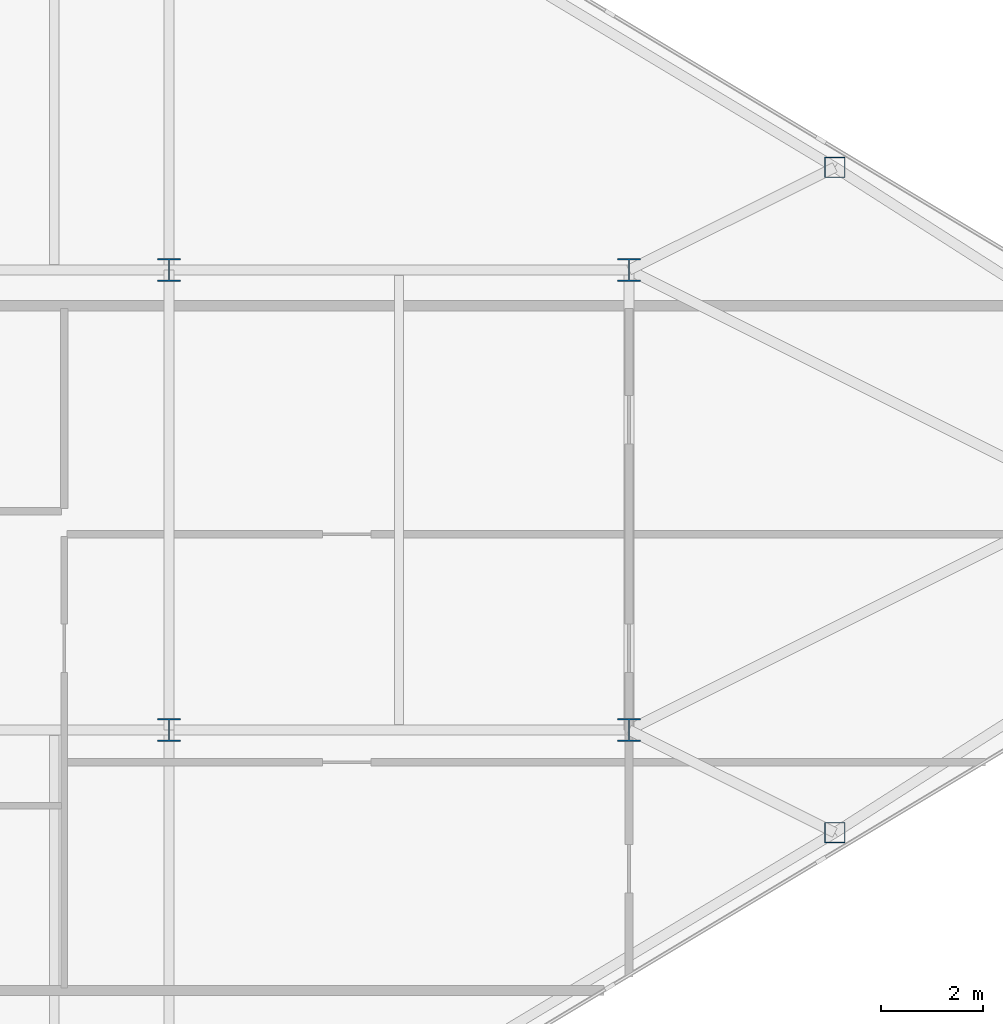
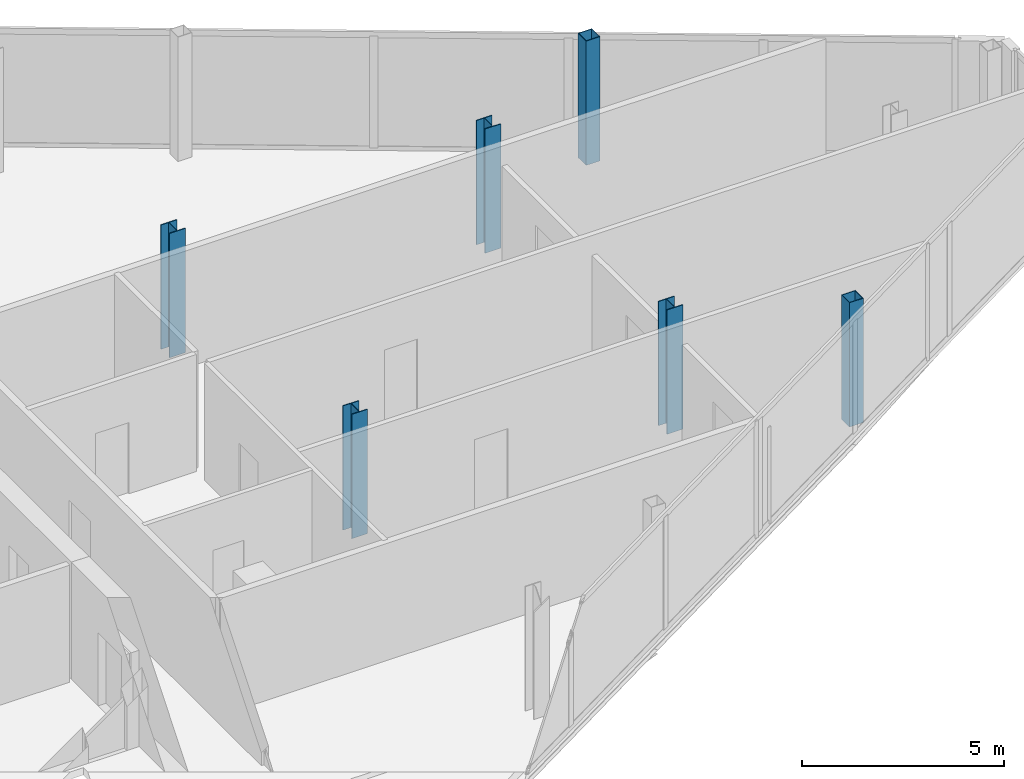
# One storey, part 5 of 28: 6 columns.
"""IFC4 building model written with IfcOpenShell, lengths in metres."""

import ifcopenshell
import ifcopenshell.guid

model = None  # the IFC model being written
_history = None  # IfcOwnerHistory: only IFC2X3 demands one
_inside = {}  # id of a spatial element -> (the spatial element, [elements in it])
_under = {}  # id of a project, library or spatial element -> (it, [spatial elements below it])
_declared = {}  # id of a project -> (the project, [libraries it declares])
_typed = {}  # id of a type object -> (the type object, [elements of that type])
_made_of = {}  # id of a material, layer set ... -> (it, [elements and type objects made of it])


def new_model(schema):
    """Start an empty IFC model of exactly this schema.

    Asked for "IFC4X3", IfcOpenShell would pick the latest addendum, in which some entities
    have other attributes; the version numbers below select the first issue.
    IFC2X3 requires an IfcOwnerHistory on every rooted entity: one is made here for all.
    """
    global model, _history
    if schema == "IFC4X3":
        model = ifcopenshell.file(schema_version=(4, 3, 0, 0))
    else:
        model = ifcopenshell.file(schema=schema)
    _inside.clear()
    _under.clear()
    _declared.clear()
    _typed.clear()
    _made_of.clear()
    _history = None
    if model.schema == "IFC2X3":
        org = make("IfcOrganization", Name="unknown")
        user = make(
            "IfcPersonAndOrganization",
            ThePerson=make("IfcPerson", FamilyName="unknown"),
            TheOrganization=org,
        )
        app = make(
            "IfcApplication",
            ApplicationDeveloper=org,
            Version="unknown",
            ApplicationFullName="unknown",
            ApplicationIdentifier="unknown",
        )
        _history = make(
            "IfcOwnerHistory",
            OwningUser=user,
            OwningApplication=app,
            ChangeAction="ADDED",
            CreationDate=0,
        )
    return model


def make(cls, **values):
    """One entity of the class cls with the attributes given. An attribute that is None is left unset."""
    return model.create_entity(
        cls, **{name: value for name, value in values.items() if value is not None}
    )


def rooted(cls, **values):
    """An entity with a GlobalId (a new one), such as an element, a storey or a relation."""
    return make(cls, GlobalId=ifcopenshell.guid.new(), OwnerHistory=_history, **values)


def si_unit(unit_type, name, prefix=None):
    """IfcSIUnit, for example si_unit("LENGTHUNIT", "METRE", prefix="MILLI")."""
    return make("IfcSIUnit", UnitType=unit_type, Prefix=prefix, Name=name)


def assignment(units):
    """IfcUnitAssignment: the units of a project."""
    return None if units is None else make("IfcUnitAssignment", Units=units)


def point(xyz):
    """IfcCartesianPoint."""
    return None if xyz is None else make("IfcCartesianPoint", Coordinates=xyz)


def direction(xyz):
    """IfcDirection."""
    return None if xyz is None else make("IfcDirection", DirectionRatios=xyz)


def frame(location, z_axis=None, x_axis=None):
    """IfcAxis2Placement3D, a coordinate frame: its origin and axes. An axis left out is left unset."""
    return make(
        "IfcAxis2Placement3D",
        Location=point(location),
        Axis=direction(z_axis),
        RefDirection=direction(x_axis),
    )


def frame_2d(location, x_axis=None):
    """IfcAxis2Placement2D, a coordinate frame in the plane: its origin and x axis."""
    return make(
        "IfcAxis2Placement2D", Location=point(location), RefDirection=direction(x_axis)
    )


def origin():
    """The frame at (0, 0, 0) with its axes left unset."""
    return frame((0.0, 0.0, 0.0))


def origin_2d():
    """The frame at (0, 0) in the plane with its x axis left unset."""
    return frame_2d((0.0, 0.0))


def place(relative_to, where):
    """IfcLocalPlacement: puts the frame where relative to a parent placement (None: the world)."""
    return make(
        "IfcLocalPlacement", PlacementRelTo=relative_to, RelativePlacement=where
    )


def context(
    kind, dimensions, precision=None, world=None, true_north=None, identifier=None
):
    """IfcGeometricRepresentationContext, for example the 3D "Model" context."""
    return make(
        "IfcGeometricRepresentationContext",
        ContextIdentifier=identifier,
        ContextType=kind,
        CoordinateSpaceDimension=dimensions,
        Precision=precision,
        WorldCoordinateSystem=world,
        TrueNorth=true_north,
    )


def subcontext(parent, identifier, kind, view, scale=None):
    """IfcGeometricRepresentationSubContext, for example "Body" below "Model"."""
    return make(
        "IfcGeometricRepresentationSubContext",
        ContextIdentifier=identifier,
        ContextType=kind,
        ParentContext=parent,
        TargetScale=scale,
        TargetView=view,
    )


def project(units=None, contexts=None):
    """IfcProject with its units and contexts."""
    return rooted(
        "IfcProject",
        Name="project",
        RepresentationContexts=contexts,
        UnitsInContext=assignment(units),
    )


def spatial(cls, under=None, at=None, **own):
    """A site, building, storey or space (cls), placed at a placement, below another one or the project."""
    s = rooted(cls, ObjectPlacement=at, **own)
    if under is not None:
        _under.setdefault(under.id(), (under, []))[1].append(s)
    return s


def profile(cls, at=None, kind="AREA", **sizes):
    """A parametric profile (cls). Its sizes go by their IFC names, for example OverallWidth=200.0."""
    return make(cls, ProfileType=kind, Position=at, **sizes)


def hollow_rectangle(**sizes):
    """IfcRectangleHollowProfileDef."""
    return profile("IfcRectangleHollowProfileDef", **sizes)


def i_section(**sizes):
    """IfcIShapeProfileDef."""
    return profile("IfcIShapeProfileDef", **sizes)


def extrude(swept, where, along, depth):
    """IfcExtrudedAreaSolid: the profile swept, set in the frame where, extruded along a direction by depth."""
    return make(
        "IfcExtrudedAreaSolid",
        SweptArea=swept,
        Position=where,
        ExtrudedDirection=direction(along),
        Depth=depth,
    )


def shape(context_of_items, identifier, shape_type, items):
    """IfcShapeRepresentation: the items that make up one representation, for example the "Body"."""
    return make(
        "IfcShapeRepresentation",
        ContextOfItems=context_of_items,
        RepresentationIdentifier=identifier,
        RepresentationType=shape_type,
        Items=items,
    )


def source(mapping_origin, context_of_items, identifier, shape_type, items):
    """IfcRepresentationMap: a shape defined once, which mapped items show again and again."""
    return make(
        "IfcRepresentationMap",
        MappingOrigin=mapping_origin,
        MappedRepresentation=shape(context_of_items, identifier, shape_type, items),
    )


def transform(
    local_origin,
    x_axis=None,
    y_axis=None,
    z_axis=None,
    scale=None,
    scale2=None,
    scale3=None,
    uniform=True,
):
    """IfcCartesianTransformationOperator3D, or its non-uniform kind. x_axis, y_axis, z_axis: its Axis1, 2, 3."""
    if uniform:
        return make(
            "IfcCartesianTransformationOperator3D",
            Axis1=direction(x_axis),
            Axis2=direction(y_axis),
            LocalOrigin=point(local_origin),
            Scale=scale,
            Axis3=direction(z_axis),
        )
    return make(
        "IfcCartesianTransformationOperator3DnonUniform",
        Axis1=direction(x_axis),
        Axis2=direction(y_axis),
        LocalOrigin=point(local_origin),
        Scale=scale,
        Axis3=direction(z_axis),
        Scale2=scale2,
        Scale3=scale3,
    )


def mapped(mapping_source, mapping_target):
    """IfcMappedItem: shows the shape of a source again, moved by a transform."""
    return make(
        "IfcMappedItem", MappingSource=mapping_source, MappingTarget=mapping_target
    )


def material(Name=None, Category=None):
    """IfcMaterial."""
    return make("IfcMaterial", Name=Name, Category=Category)


def material_profile(
    of_material, cross_section, Name=None, Category=None, Priority=None
):
    """IfcMaterialProfile: a cross section and its material."""
    return make(
        "IfcMaterialProfile",
        Name=Name,
        Material=of_material,
        Profile=cross_section,
        Priority=Priority,
        Category=Category,
    )


def profile_set(profiles, Name=None, composite=None):
    """IfcMaterialProfileSet."""
    return make(
        "IfcMaterialProfileSet",
        Name=Name,
        MaterialProfiles=profiles,
        CompositeProfile=composite,
    )


def made_of(thing, what):
    """Note that an element or type object is made of a material, layer set ...; save() writes the relation."""
    if what is not None:
        _made_of.setdefault(what.id(), (what, []))[1].append(thing)
    return thing


def type_object(cls, material=None, **own):
    """A type object (cls), such as IfcWallType, which elements share."""
    return made_of(rooted(cls, **own), material)


def type_shapes(of_type, sources):
    """Give a type object the sources (RepresentationMaps) that its elements show as mapped items."""
    of_type.RepresentationMaps = sources


def element(
    cls,
    number,
    at=None,
    inside=None,
    cuts=None,
    type_object=None,
    material=None,
    context=None,
    identifier="Body",
    shape_type=None,
    held_by="IfcProductDefinitionShape",
    body=None,
    shapes=None,
    **own,
):
    """One element of the class cls, such as IfcWall. Its Tag is "e" and its number.

    at: its placement. inside: the storey or other place that contains it. cuts: it is an
    opening in that element (IfcRelVoidsElement). A single representation is given by context,
    identifier, shape_type and body (its items); several are given by shapes. held_by: the class
    of the entity that holds the representations. save() writes the other relations.
    """
    e = rooted(cls, Tag="e%d" % number, ObjectPlacement=at, **own)
    if body is not None:
        shapes = [shape(context, identifier, shape_type, body)]
    if shapes is not None:
        e.Representation = make(held_by, Representations=shapes)
    if inside is not None:
        _inside.setdefault(inside.id(), (inside, []))[1].append(e)
    if cuts is not None:
        rooted(
            "IfcRelVoidsElement", RelatingBuildingElement=cuts, RelatedOpeningElement=e
        )
    if type_object is not None:
        _typed.setdefault(type_object.id(), (type_object, []))[1].append(e)
    return made_of(e, material)


def aggregate(whole, parts):
    """IfcRelAggregates: a whole, such as a stair, and the parts it consists of."""
    return rooted("IfcRelAggregates", RelatingObject=whole, RelatedObjects=parts)


def save(model, path):
    """Write the relations noted so far, then the file.

    IfcRelAggregates (storeys below a building ...), IfcRelContainedInSpatialStructure (elements
    in a storey), IfcRelDefinesByType, IfcRelAssociatesMaterial and IfcRelDeclares: one each for
    every whole, place, type object, material and project.
    """
    for whole, parts in _under.values():
        aggregate(whole, parts)
    for where, things in _inside.values():
        rooted(
            "IfcRelContainedInSpatialStructure",
            RelatedElements=things,
            RelatingStructure=where,
        )
    for kind, things in _typed.values():
        rooted("IfcRelDefinesByType", RelatedObjects=things, RelatingType=kind)
    for what, things in _made_of.values():
        rooted("IfcRelAssociatesMaterial", RelatedObjects=things, RelatingMaterial=what)
    for by, libraries in _declared.values():
        rooted("IfcRelDeclares", RelatingContext=by, RelatedDefinitions=libraries)
    model.write(path)


model = new_model("IFC4")

# Units and contexts
model_context = context("Model", 3, precision=1e-05, world=origin(), true_north=direction((0.0, 1.0)))
body_context = subcontext(model_context, "Body", "Model", "MODEL_VIEW")
ifc_project = project(units=[si_unit("LENGTHUNIT", "METRE"), si_unit("AREAUNIT", "SQUARE_METRE"), si_unit("VOLUMEUNIT", "CUBIC_METRE"), si_unit("PLANEANGLEUNIT", "RADIAN"), si_unit("MASSUNIT", "GRAM", prefix="KILO")], contexts=[model_context])

# Site, building, storey
site_placement = place(None, origin())
site = spatial("IfcSite", under=ifc_project, at=site_placement, CompositionType="ELEMENT")
building_placement = place(site_placement, origin())
building = spatial("IfcBuilding", under=site, at=building_placement, Name="Seokmaru Belvedere", CompositionType="ELEMENT")
storey_placement = place(building_placement, frame((0.0, 0.0, 261.89990234375)))
storey = spatial("IfcBuildingStorey", under=building, at=storey_placement, Name="L69", CompositionType="ELEMENT", Elevation=261.89990234375)

# Columns
ifc_material = material(Name="Steel SM355 (355 MPa)", Category="steel")
ifc_material_profile_1 = material_profile(ifc_material, i_section(OverallWidth=0.449951171875, OverallDepth=0.449951171875, WebThickness=0.01611328125, FlangeThickness=0.02490234375, at=origin_2d()), Name="H-450x450x16x25")
ifc_profile_set_1 = profile_set([ifc_material_profile_1], Name="Steel SM355 (355 MPa)")
column_type_1 = type_object("IfcColumnType", Name="Sky-Gate Column H-450", PredefinedType="COLUMN", material=ifc_profile_set_1)
shared_shape_1 = source(origin(), body_context, "Body", "SweptSolid", [
    extrude(i_section(OverallWidth=0.449951171875, OverallDepth=0.449951171875, WebThickness=0.01611328125, FlangeThickness=0.02490234375, at=origin_2d()), origin(), (0.0, 0.0, 1.0), 3.75),
])
type_shapes(column_type_1, [shared_shape_1])
for number, where, z_axis, x_axis, name in (
    (1, (45.5, -4.5, 0.0), (0.0, 0.0, 1.0), (1.0, 0.0, 0.0), "L69 Column EG5_2"),
    (2, (45.5, 4.5, 0.0), (0.0, 0.0, 1.0), (1.0, 0.0, 0.0), "L69 Column EG5_3"),
    (3, (54.5, -4.5, 0.0), (0.0, 0.0, 1.0), (1.0, 0.0, 0.0), "L69 Column EG4P_1"),
    (4, (54.5, 4.5, 0.0), (0.0, 0.0, 1.0), (1.0, 0.0, 0.0), "L69 Column EG4P_2"),
):
    element("IfcColumn", number, at=place(storey_placement, frame(where, z_axis=z_axis, x_axis=x_axis)), inside=storey, type_object=column_type_1, Name=name, PredefinedType="COLUMN", context=body_context, shape_type="MappedRepresentation", body=[
        mapped(shared_shape_1, transform((0.0, 0.0, 0.0), scale=1.0)),
    ])
ifc_material_profile_2 = material_profile(ifc_material, hollow_rectangle(XDim=0.39990234375, YDim=0.39990234375, WallThickness=0.01611328125, at=origin_2d()), Name="HSS-400x400x16")
ifc_profile_set_2 = profile_set([ifc_material_profile_2], Name="Steel SM355 (355 MPa)")
column_type_2 = type_object("IfcColumnType", Name="Perimeter Facet Column HSS-400", PredefinedType="COLUMN", material=ifc_profile_set_2)
shared_shape_2 = source(origin(), body_context, "Body", "SweptSolid", [
    extrude(hollow_rectangle(XDim=0.39990234375, YDim=0.39990234375, WallThickness=0.01611328125, at=origin_2d()), origin(), (0.0, 0.0, 1.0), 3.75),
])
type_shapes(column_type_2, [shared_shape_2])
for number, where, z_axis, x_axis, name in (
    (5, (58.530029296875, -6.5087890625, 0.0), (0.0, 0.0, 1.0), (1.0, 0.0, 0.0), "L69 Column EFLK_S3"),
    (6, (58.530029296875, 6.5087890625, 0.0), (0.0, 0.0, 1.0), (1.0, 0.0, 0.0), "L69 Column EFLK_N3"),
):
    element("IfcColumn", number, at=place(storey_placement, frame(where, z_axis=z_axis, x_axis=x_axis)), inside=storey, type_object=column_type_2, Name=name, PredefinedType="COLUMN", context=body_context, shape_type="MappedRepresentation", body=[
        mapped(shared_shape_2, transform((0.0, 0.0, 0.0), scale=1.0)),
    ])

save(model, "model.ifc")
